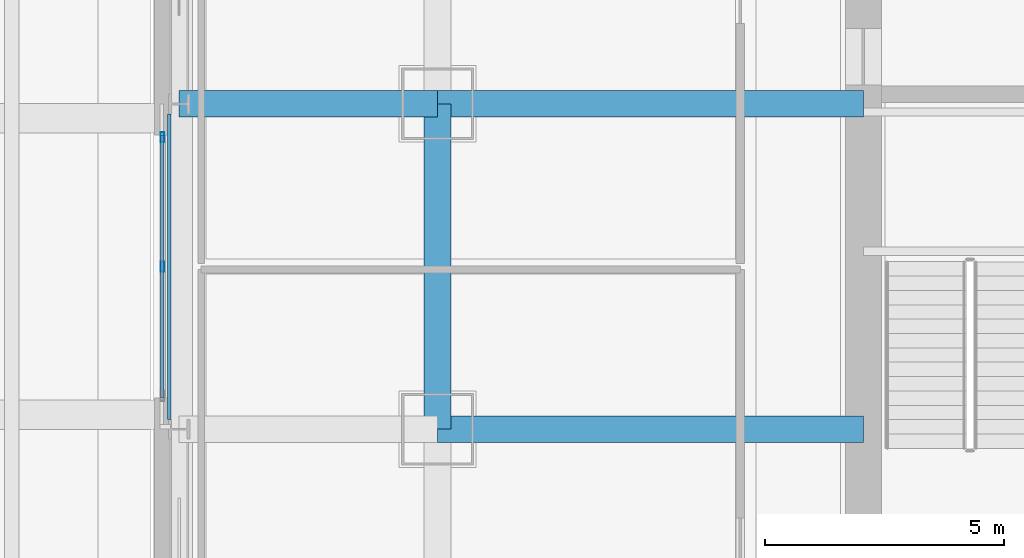
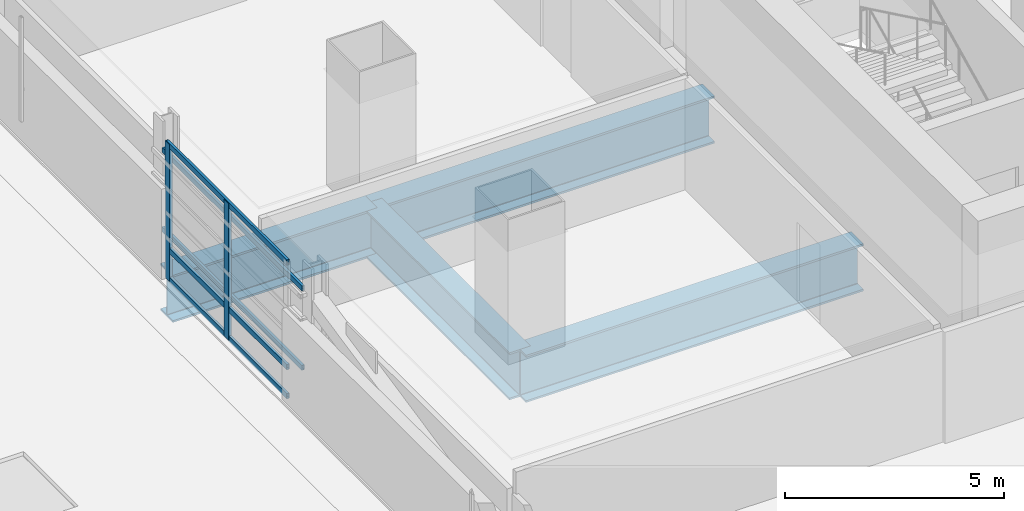
# One storey, part 4 of 30: 7 members, 4 beams, 1 element without a shape of its own.
"""IFC4 building model written with IfcOpenShell, lengths in metres."""

from ifc_helpers import new_model, si_unit, direction, frame, origin, origin_2d, place, context, subcontext, project, spatial, hollow_rectangle, i_section, extrude, material, material_profile, profile_set, type_object, element, aggregate, save


model = new_model("IFC4")

# Units and contexts
model_context = context("Model", 3, precision=1e-05, world=origin(), true_north=direction((0.0, 1.0)))
body_context = subcontext(model_context, "Body", "Model", "MODEL_VIEW")
ifc_project = project(units=[si_unit("LENGTHUNIT", "METRE"), si_unit("AREAUNIT", "SQUARE_METRE"), si_unit("VOLUMEUNIT", "CUBIC_METRE"), si_unit("PLANEANGLEUNIT", "RADIAN"), si_unit("MASSUNIT", "GRAM", prefix="KILO")], contexts=[model_context])

# Site, building, storey
site_placement = place(None, origin())
site = spatial("IfcSite", under=ifc_project, at=site_placement, CompositionType="ELEMENT")
building_placement = place(site_placement, origin())
building = spatial("IfcBuilding", under=site, at=building_placement, Name="Punatoya Terracotta Tower", CompositionType="ELEMENT")
storey_placement = place(building_placement, frame((0.0, 0.0, 28.199951171875)))
storey = spatial("IfcBuildingStorey", under=building, at=storey_placement, Name="L05", CompositionType="ELEMENT", Elevation=28.199951171875)

# Beams
ifc_material_1 = material(Name="Steel S460", Category="steel")
ifc_material_profile_1 = material_profile(ifc_material_1, i_section(OverallWidth=0.56005859375, OverallDepth=1.320068359375, WebThickness=0.035888671875, FlangeThickness=0.054931640625, FilletRadius=0.01806640625, at=origin_2d()))
ifc_profile_set_1 = profile_set([ifc_material_profile_1], Name="Steel S460")
beam_type = type_object("IfcBeamType", Name="BM-TG-BLK", PredefinedType="BEAM", material=ifc_profile_set_1)
beam_1_placement = place(storey_placement, frame((-19.10009765625, -3.39990234375, -0.93994140625), z_axis=(0.0, 1.0, 0.0), x_axis=(-1.0, 0.0, 0.0)))
element("IfcBeam", 1, at=beam_1_placement, inside=storey, type_object=beam_type, Name="BM-L05-RG-W2", PredefinedType="BEAM", context=body_context, shape_type="SweptSolid", body=[
    extrude(i_section(OverallWidth=0.56005859375, OverallDepth=1.320068359375, WebThickness=0.035888671875, FlangeThickness=0.054931640625, FilletRadius=0.01806640625, at=origin_2d()), origin(), (0.0, 0.0, 1.0), 6.7998046875),
])
for number, where, z_axis, x_axis, name in (
    (2, (-19.10009765625, -3.39990234375, -0.93994140625), (1.0, 0.0, 0.0), (0.0, 1.0, 0.0), "BM-L05-PR-WD"),
    (3, (-19.10009765625, 3.39990234375, -0.93994140625), (1.0, 0.0, 0.0), (0.0, 1.0, 0.0), "BM-L05-PR-WE"),
):
    element("IfcBeam", number, at=place(storey_placement, frame(where, z_axis=z_axis, x_axis=x_axis)), inside=storey, type_object=beam_type, Name=name, PredefinedType="BEAM", context=body_context, shape_type="SweptSolid", body=[
        extrude(i_section(OverallWidth=0.56005859375, OverallDepth=1.320068359375, WebThickness=0.035888671875, FlangeThickness=0.054931640625, FilletRadius=0.01806640625, at=origin_2d()), origin(), (0.0, 0.0, 1.0), 8.900146484375),
    ])
beam_2_placement = place(storey_placement, frame((-24.5, 3.39990234375, -0.93994140625), z_axis=(1.0, 0.0, 0.0), x_axis=(0.0, 1.0, 0.0)))
element("IfcBeam", 4, at=beam_2_placement, inside=storey, type_object=beam_type, Name="BM-L05-CANT-W3", PredefinedType="BEAM", context=body_context, shape_type="SweptSolid", body=[
    extrude(i_section(OverallWidth=0.56005859375, OverallDepth=1.320068359375, WebThickness=0.035888671875, FlangeThickness=0.054931640625, FilletRadius=0.01806640625, at=origin_2d()), origin(), (0.0, 0.0, 1.0), 5.39990234375),
])

# Curtain wall, members
ifc_material_2 = material(Name="Aluminium 6063-T6 + Double Low-E Glass", Category="aluminium")
curtain_wall_type = type_object("IfcCurtainWallType", Name="CW-M1", PredefinedType="NOTDEFINED", material=ifc_material_2)
curtain_wall_placement = place(storey_placement, origin())
curtain_wall = element("IfcCurtainWall", 5, at=curtain_wall_placement, inside=storey, type_object=curtain_wall_type, Name="L05 Curtain Wall CW-L05-W13-1", PredefinedType="NOTDEFINED")
ifc_material_3 = material(Name="Aluminium 6063-T6", Category="aluminium")
ifc_material_profile_2 = material_profile(ifc_material_3, hollow_rectangle(XDim=0.074951171875, YDim=0.2099609375, WallThickness=0.00439453125, at=origin_2d()))
ifc_profile_set_2 = profile_set([ifc_material_profile_2], Name="Aluminium 6063-T6")
member_type_1 = type_object("IfcMemberType", Name="CW-MUL-M1", PredefinedType="MULLION", material=ifc_profile_set_2)
member_1_placement = place(storey_placement, frame((-24.85009765625, 2.705078125, 0.0), z_axis=(0.0, 0.0, 1.0), x_axis=(1.0, 0.0, 0.0)))
member_1 = element("IfcMember", 6, at=member_1_placement, type_object=member_type_1, Name="CW-L05-W13-1 Mullion 00", PredefinedType="MULLION", context=body_context, shape_type="SweptSolid", body=[
    extrude(hollow_rectangle(XDim=0.074951171875, YDim=0.2099609375, WallThickness=0.00439453125, at=origin_2d()), origin(), (0.0, 0.0, 1.0), 3.81005859375),
])
member_2_placement = place(storey_placement, frame((-24.85009765625, 0.0, 0.0), z_axis=(0.0, 0.0, 1.0), x_axis=(1.0, 0.0, 0.0)))
member_2 = element("IfcMember", 7, at=member_2_placement, type_object=member_type_1, Name="CW-L05-W13-1 Mullion 01", PredefinedType="MULLION", context=body_context, shape_type="SweptSolid", body=[
    extrude(hollow_rectangle(XDim=0.074951171875, YDim=0.2099609375, WallThickness=0.00439453125, at=origin_2d()), origin(), (0.0, 0.0, 1.0), 3.81005859375),
])
ifc_material_profile_3 = material_profile(ifc_material_3, hollow_rectangle(XDim=0.068115234375, YDim=0.14990234375, WallThickness=0.00390625, at=origin_2d()))
ifc_profile_set_3 = profile_set([ifc_material_profile_3], Name="Aluminium 6063-T6")
member_type_2 = type_object("IfcMemberType", Name="CW-TRN-TYP", PredefinedType="USERDEFINED", material=ifc_profile_set_3)
member_3_placement = place(storey_placement, frame((-24.85009765625, 2.75, 0.0400390625), z_axis=(0.0, -1.0, 0.0), x_axis=(1.0, 0.0, 0.0)))
member_3 = element("IfcMember", 8, at=member_3_placement, type_object=member_type_2, Name="CW-L05-W13-1 Transom 1", ObjectType="TRANSOM", PredefinedType="USERDEFINED", context=body_context, shape_type="SweptSolid", body=[
    extrude(hollow_rectangle(XDim=0.068115234375, YDim=0.14990234375, WallThickness=0.00390625, at=origin_2d()), origin(), (0.0, 0.0, 1.0), 5.5),
])
member_4_placement = place(storey_placement, frame((-24.85009765625, 2.75, 0.85009765625), z_axis=(0.0, -1.0, 0.0), x_axis=(1.0, 0.0, 0.0)))
member_4 = element("IfcMember", 9, at=member_4_placement, type_object=member_type_2, Name="CW-L05-W13-1 Transom 2", ObjectType="TRANSOM", PredefinedType="USERDEFINED", context=body_context, shape_type="SweptSolid", body=[
    extrude(hollow_rectangle(XDim=0.068115234375, YDim=0.14990234375, WallThickness=0.00390625, at=origin_2d()), origin(), (0.0, 0.0, 1.0), 5.5),
])
member_5_placement = place(storey_placement, frame((-24.85009765625, 2.75, 3.77001953125), z_axis=(0.0, -1.0, 0.0), x_axis=(1.0, 0.0, 0.0)))
member_5 = element("IfcMember", 10, at=member_5_placement, type_object=member_type_2, Name="CW-L05-W13-1 Transom 3", ObjectType="TRANSOM", PredefinedType="USERDEFINED", context=body_context, shape_type="SweptSolid", body=[
    extrude(hollow_rectangle(XDim=0.068115234375, YDim=0.14990234375, WallThickness=0.00390625, at=origin_2d()), origin(), (0.0, 0.0, 1.0), 5.5),
])
aggregate(curtain_wall, [member_1, member_2, member_3, member_4, member_5])

# Members
ifc_material_4 = material(Name="Steel S355", Category="steel")
ifc_material_profile_4 = material_profile(ifc_material_4, hollow_rectangle(XDim=0.070068359375, YDim=0.139892578125, WallThickness=0.006103515625, at=origin_2d()))
ifc_profile_set_4 = profile_set([ifc_material_profile_4], Name="Steel S355")
member_type_3 = type_object("IfcMemberType", Name="MEM-BAG-RAIL", PredefinedType="USERDEFINED", material=ifc_profile_set_4)
for number, where, z_axis, x_axis, name in (
    (11, (-24.705078125, -3.1923828125, 1.050048828125), (0.0, 1.0, 0.0), (-1.0, 0.0, 0.0), "L05 Terracotta Baguette Carrier Rail BAG-L05-W-R1"),
    (12, (-24.705078125, -3.1923828125, 3.260009765625), (0.0, 1.0, 0.0), (-1.0, 0.0, 0.0), "L05 Terracotta Baguette Carrier Rail BAG-L05-W-R2"),
):
    element("IfcMember", number, at=place(storey_placement, frame(where, z_axis=z_axis, x_axis=x_axis)), inside=storey, type_object=member_type_3, Name=name, ObjectType="BAGUETTE", PredefinedType="USERDEFINED", context=body_context, shape_type="SweptSolid", body=[
        extrude(hollow_rectangle(XDim=0.070068359375, YDim=0.139892578125, WallThickness=0.006103515625, at=origin_2d()), origin(), (0.0, 0.0, 1.0), 6.384765625),
    ])

save(model, "model.ifc")
